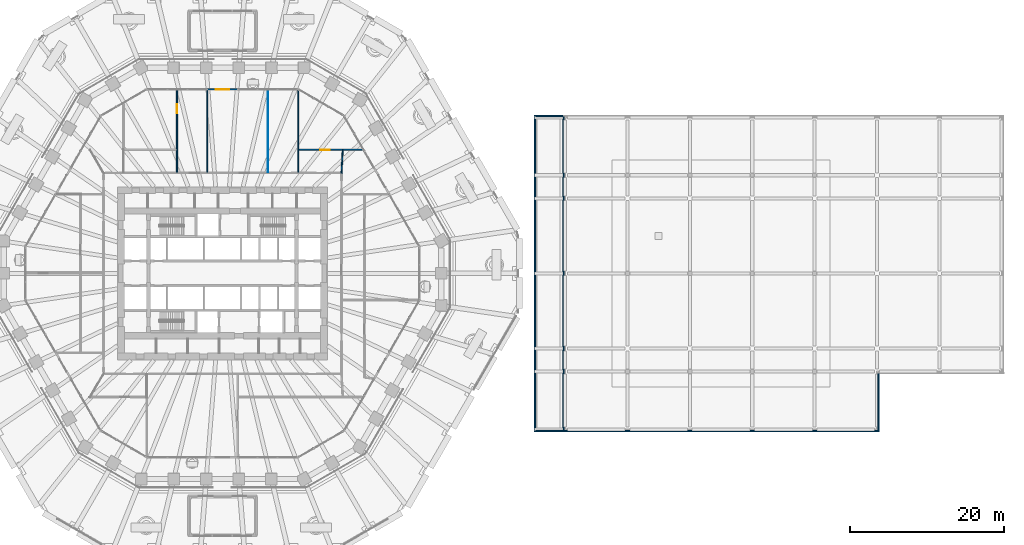
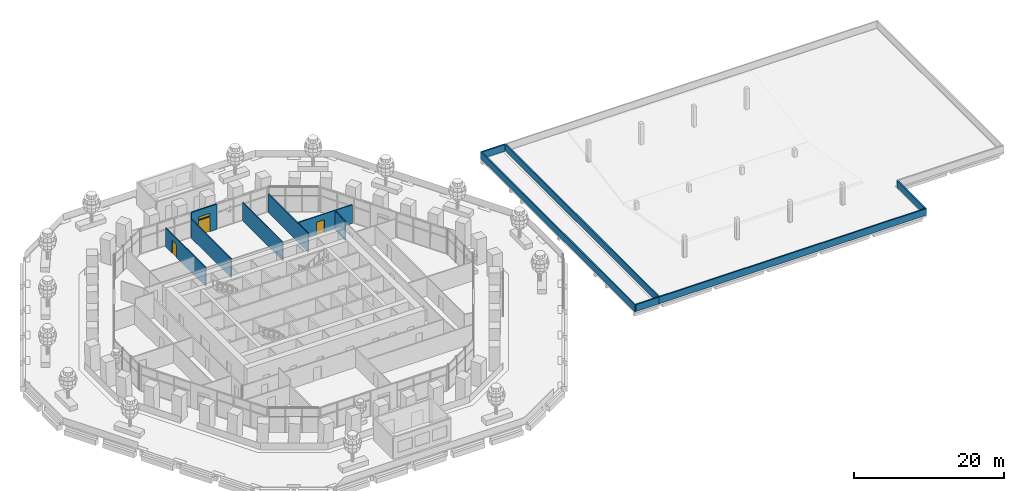
# One storey, part 26 of 32: 13 walls, 3 doors, 1 window, 4 openings.
"""IFC4 building model written with IfcOpenShell, lengths in metres."""

from ifc_helpers import new_model, si_unit, direction, frame, frame_2d, origin, place, context, subcontext, project, spatial, rectangle, extrude, material, layer, layer_set, type_object, element, fill, save


model = new_model("IFC4")

# Units and contexts
model_context = context("Model", 3, precision=1e-05, world=origin(), true_north=direction((0.0, 1.0)))
body_context = subcontext(model_context, "Body", "Model", "MODEL_VIEW")
ifc_project = project(units=[si_unit("LENGTHUNIT", "METRE"), si_unit("AREAUNIT", "SQUARE_METRE"), si_unit("VOLUMEUNIT", "CUBIC_METRE"), si_unit("PLANEANGLEUNIT", "RADIAN"), si_unit("MASSUNIT", "GRAM", prefix="KILO")], contexts=[model_context])

# Site, building, storey
site_placement = place(None, origin())
site = spatial("IfcSite", under=ifc_project, at=site_placement, CompositionType="ELEMENT")
building_placement = place(site_placement, origin())
building = spatial("IfcBuilding", under=site, at=building_placement, Name="Frailejon Research Tower", CompositionType="ELEMENT")
storey_placement = place(building_placement, frame((0.0, 0.0, 14.60009765625)))
storey = spatial("IfcBuildingStorey", under=building, at=storey_placement, Name="L03", CompositionType="ELEMENT", Elevation=14.60009765625)

# Walls
ifc_material_1 = material(Name="Concrete C35/45", Category="concrete")
ifc_layer_1 = layer(ifc_material_1, 0.199951171875)
ifc_layer_set_1 = layer_set([ifc_layer_1], Name="HC parapet 200")
wall_type_1 = type_object("IfcWallType", Name="HC parapet 200", PredefinedType="PARAPET", material=ifc_layer_set_1)
wall_1_placement = place(storey_placement, frame((44.199951171875, -20.449951171875, 0.0), z_axis=(0.0, 0.0, 1.0), x_axis=(1.0, 0.0, 0.0)))
element("IfcWall", 1, at=wall_1_placement, inside=storey, type_object=wall_type_1, Name="HC roof parapet", PredefinedType="PARAPET", context=body_context, shape_type="SweptSolid", body=[
    extrude(rectangle(XDim=41.10009765625, YDim=0.199951171875, at=frame_2d((20.550048828125, 0.0))), origin(), (0.0, 0.0, 1.0), 1.099853515625),
])
wall_2_placement = place(storey_placement, frame((44.300048828125, -20.35009765625, 0.0), z_axis=(0.0, 0.0, 1.0), x_axis=(0.0, 1.0, 0.0)))
element("IfcWall", 2, at=wall_2_placement, inside=storey, type_object=wall_type_1, Name="HC roof parapet", PredefinedType="PARAPET", context=body_context, shape_type="SweptSolid", body=[
    extrude(rectangle(XDim=40.7001953125, YDim=0.199951171875, at=frame_2d((20.35009765625, 0.0))), origin(), (0.0, 0.0, 1.0), 1.099853515625),
])
wall_3_placement = place(storey_placement, frame((85.199951171875, -20.35009765625, 0.0), z_axis=(0.0, 0.0, 1.0), x_axis=(0.0, 1.0, 0.0)))
element("IfcWall", 3, at=wall_3_placement, inside=storey, type_object=wall_type_1, Name="HC roof parapet", PredefinedType="PARAPET", context=body_context, shape_type="SweptSolid", body=[
    extrude(rectangle(XDim=7.300048828125, YDim=0.199951171875, at=frame_2d((3.64990234375, 0.0))), origin(), (0.0, 0.0, 1.0), 1.099853515625),
])
wall_4_placement = place(storey_placement, frame((40.60009765625, -20.550048828125, 0.0), z_axis=(0.0, 0.0, 1.0), x_axis=(0.0, 1.0, 0.0)))
element("IfcWall", 4, at=wall_4_placement, inside=storey, type_object=wall_type_1, Name="HC canopy upstand", PredefinedType="PARAPET", context=body_context, shape_type="SweptSolid", body=[
    extrude(rectangle(XDim=41.10009765625, YDim=0.199951171875, at=frame_2d((20.550048828125, 0.0))), origin(), (0.0, 0.0, 1.0), 1.099853515625),
])
for number, where, z_axis, x_axis, name in (
    (5, (40.699951171875, -20.449951171875, 0.0), (0.0, 0.0, 1.0), (1.0, 0.0, 0.0), "HC canopy upstand"),
    (6, (40.699951171875, 20.449951171875, 0.0), (0.0, 0.0, 1.0), (1.0, 0.0, 0.0), "HC canopy upstand"),
):
    element("IfcWall", number, at=place(storey_placement, frame(where, z_axis=z_axis, x_axis=x_axis)), inside=storey, type_object=wall_type_1, Name=name, PredefinedType="PARAPET", context=body_context, shape_type="SweptSolid", body=[
        extrude(rectangle(XDim=3.5, YDim=0.199951171875, at=frame_2d((1.75, 0.0))), origin(), (0.0, 0.0, 1.0), 1.099853515625),
    ])
ifc_material_2 = material(Name="Gypsum board and masonry partition", Category="masonry")
ifc_layer_2 = layer(ifc_material_2, 0.14990234375)
ifc_layer_set_2 = layer_set([ifc_layer_2], Name="Laboratory partition, blockwork 150")
wall_type_2 = type_object("IfcWallType", Name="Laboratory partition, blockwork 150", PredefinedType="PARTITIONING", material=ifc_layer_set_2)
wall_5_placement = place(storey_placement, frame((15.44580078125, 12.97509765625, 0.0), z_axis=(0.0, 0.0, 1.0), x_axis=(0.054281830831, 0.998525654574, 0.0)))
element("IfcWall", 7, at=wall_5_placement, inside=storey, type_object=wall_type_2, Name="T:IW:L03:009", PredefinedType="PARTITIONING", context=body_context, shape_type="SweptSolid", body=[
    extrude(rectangle(XDim=3.00439453125, YDim=0.14990234375, at=frame_2d((1.502197265625, 0.0))), origin(), (0.0, 0.0, 1.0), 3.0498046875),
])

# Wall, opening, door
wall_6_placement = place(storey_placement, frame((9.931396484375, 16.050048828125, 0.0), z_axis=(0.0, 0.0, 1.0), x_axis=(1.0, 0.0, 0.0)))
wall_6 = element("IfcWall", 8, at=wall_6_placement, inside=storey, type_object=wall_type_2, Name="T:IW:L03:011", PredefinedType="PARTITIONING", context=body_context, shape_type="SweptSolid", body=[
    extrude(rectangle(XDim=8.283935546875, YDim=0.14990234375, at=frame_2d((4.14208984375, 0.0))), origin(), (0.0, 0.0, 1.0), 3.0498046875),
])
opening_1_placement = place(wall_6_placement, frame((2.78173828125, 0.0, 0.0)))
opening_1 = element("IfcOpeningElement", 9, at=opening_1_placement, cuts=wall_6, Name="Opening D1223", PredefinedType="OPENING", context=body_context, shape_type="SweptSolid", body=[
    extrude(rectangle(XDim=1.199951171875, YDim=2.10009765625, at=frame_2d((0.60009765625, 1.050048828125))), frame((0.0, 0.0849609375, 0.0), z_axis=(0.0, -1.0, 0.0), x_axis=(1.0, 0.0, 0.0)), (0.0, 0.0, 1.0), 0.169921875),
])
ifc_material_3 = material(Name="Timber door leaf", Category="wood")
door_type_1 = type_object("IfcDoorType", Name="Door laboratory, timber, vision panel 1200", OperationType="NOTDEFINED", PredefinedType="DOOR", material=ifc_material_3)
door_1_placement = place(opening_1_placement, origin())
door_1 = element("IfcDoor", 10, at=door_1_placement, inside=storey, type_object=door_type_1, Name="D1223", OperationType="DOUBLE_DOOR_SINGLE_SWING", OverallHeight=2.10009765625, OverallWidth=1.199951171875, PredefinedType="DOOR", context=body_context, shape_type="SweptSolid", body=[
    extrude(rectangle(XDim=1.199951171875, YDim=2.10009765625, at=frame_2d((0.60009765625, 1.050048828125))), frame((0.0, 0.02490234375, 0.0), z_axis=(0.0, -1.0, 0.0), x_axis=(1.0, 0.0, 0.0)), (0.0, 0.0, 1.0), 0.050048828125),
])
fill(opening_1, door_1)

# Walls
wall_7_placement = place(storey_placement, frame((9.8564453125, 13.125, 0.0), z_axis=(0.0, 0.0, 1.0), x_axis=(0.0, 1.0, 0.0)))
element("IfcWall", 11, at=wall_7_placement, inside=storey, type_object=wall_type_2, Name="T:IW:L03:012", PredefinedType="PARTITIONING", context=body_context, shape_type="SweptSolid", body=[
    extrude(rectangle(XDim=10.64404296875, YDim=0.14990234375, at=frame_2d((5.322021484375, 0.0))), origin(), (0.0, 0.0, 1.0), 3.0498046875),
])
wall_8_placement = place(storey_placement, frame((-1.97119140625, 13.125, 0.0), z_axis=(0.0, 0.0, 1.0), x_axis=(0.0, 1.0, 0.0)))
element("IfcWall", 12, at=wall_8_placement, inside=storey, type_object=wall_type_2, Name="T:IW:L03:013", PredefinedType="PARTITIONING", context=body_context, shape_type="SweptSolid", body=[
    extrude(rectangle(XDim=10.675048828125, YDim=0.14990234375, at=frame_2d((5.33740234375, 0.0))), origin(), (0.0, 0.0, 1.0), 3.0498046875),
])

# Wall, opening, door
wall_9_placement = place(storey_placement, frame((-5.913818359375, 13.125, 0.0), z_axis=(0.0, 0.0, 1.0), x_axis=(0.0, 1.0, 0.0)))
wall_9 = element("IfcWall", 13, at=wall_9_placement, inside=storey, type_object=wall_type_2, Name="T:IW:L03:014", PredefinedType="PARTITIONING", context=body_context, shape_type="SweptSolid", body=[
    extrude(rectangle(XDim=10.675048828125, YDim=0.14990234375, at=frame_2d((5.33740234375, 0.0))), origin(), (0.0, 0.0, 1.0), 3.0498046875),
])
opening_2_placement = place(wall_9_placement, frame((7.66259765625, 0.0, 0.0)))
opening_2 = element("IfcOpeningElement", 14, at=opening_2_placement, cuts=wall_9, Name="Opening D1227", PredefinedType="OPENING", context=body_context, shape_type="SweptSolid", body=[
    extrude(rectangle(XDim=1.199951171875, YDim=2.10009765625, at=frame_2d((0.60009765625, 1.050048828125))), frame((0.0, 0.0849609375, 0.0), z_axis=(0.0, -1.0, 0.0), x_axis=(1.0, 0.0, 0.0)), (0.0, 0.0, 1.0), 0.169921875),
])
door_2_placement = place(opening_2_placement, origin())
door_2 = element("IfcDoor", 15, at=door_2_placement, inside=storey, type_object=door_type_1, Name="D1227", OperationType="DOUBLE_DOOR_SINGLE_SWING", OverallHeight=2.10009765625, OverallWidth=1.199951171875, PredefinedType="DOOR", context=body_context, shape_type="SweptSolid", body=[
    extrude(rectangle(XDim=1.199951171875, YDim=2.10009765625, at=frame_2d((0.60009765625, 1.050048828125))), frame((0.0, 0.02490234375, 0.0), z_axis=(0.0, -1.0, 0.0), x_axis=(1.0, 0.0, 0.0)), (0.0, 0.0, 1.0), 0.050048828125),
])
fill(opening_2, door_2)

# Wall
ifc_material_4 = material(Name="Gypsum board and masonry partition", Category="masonry")
ifc_layer_3 = layer(ifc_material_4, 0.10009765625)
ifc_layer_set_3 = layer_set([ifc_layer_3], Name="Partition, gypsum on steel studs 100")
wall_type_3 = type_object("IfcWallType", Name="Partition, gypsum on steel studs 100", PredefinedType="PARTITIONING", material=ifc_layer_set_3)
wall_10_placement = place(storey_placement, frame((5.913818359375, 13.125, 0.0), z_axis=(0.0, 0.0, 1.0), x_axis=(0.0, 1.0, 0.0)))
element("IfcWall", 16, at=wall_10_placement, inside=storey, type_object=wall_type_3, Name="T:IW:L03:025", PredefinedType="PARTITIONING", context=body_context, shape_type="SweptSolid", body=[
    extrude(rectangle(XDim=10.675048828125, YDim=0.10009765625, at=frame_2d((5.33740234375, 0.0))), origin(), (0.0, 0.0, 1.0), 3.0498046875),
])

# Wall, openings, door, window
ifc_material_5 = material(Name="Concrete C40/50 precast window wall panel", Category="concrete")
ifc_layer_4 = layer(ifc_material_5, 0.199951171875)
ifc_layer_set_4 = layer_set([ifc_layer_4], Name="Window wall 200")
wall_type_4 = type_object("IfcWallType", Name="Window wall 200", PredefinedType="SOLIDWALL", material=ifc_layer_set_4)
wall_11_placement = place(storey_placement, frame((1.9658203125, 23.89990234375, 0.0), z_axis=(0.0, 0.0, 1.0), x_axis=(-1.0, 0.0, 0.0)))
wall_11 = element("IfcWall", 17, at=wall_11_placement, inside=storey, type_object=wall_type_4, Name="Door pier L03", PredefinedType="SOLIDWALL", context=body_context, shape_type="SweptSolid", body=[
    extrude(rectangle(XDim=3.931640625, YDim=0.199951171875, at=frame_2d((1.9658203125, 0.0))), origin(), (0.0, 0.0, 1.0), 4.099853515625),
])
opening_3_placement = place(wall_11_placement, frame((1.06591796875, 0.0, 0.0)))
opening_3 = element("IfcOpeningElement", 18, at=opening_3_placement, cuts=wall_11, Name="Opening LG03-2", PredefinedType="OPENING", context=body_context, shape_type="SweptSolid", body=[
    extrude(rectangle(XDim=1.800048828125, YDim=2.39990234375, at=frame_2d((0.89990234375, 1.199951171875))), frame((0.0, 0.10986328125, 0.0), z_axis=(0.0, -1.0, 0.0), x_axis=(1.0, 0.0, 0.0)), (0.0, 0.0, 1.0), 0.219970703125),
])
opening_4_placement = place(wall_11_placement, frame((1.06591796875, 0.0, 2.550048828125)))
opening_4 = element("IfcOpeningElement", 19, at=opening_4_placement, cuts=wall_11, Name="Opening W1", PredefinedType="OPENING", context=body_context, shape_type="SweptSolid", body=[
    extrude(rectangle(XDim=1.800048828125, YDim=0.449951171875, at=frame_2d((0.89990234375, 0.22509765625))), frame((0.0, 0.10986328125, 0.0), z_axis=(0.0, -1.0, 0.0), x_axis=(1.0, 0.0, 0.0)), (0.0, 0.0, 1.0), 0.219970703125),
])
ifc_material_6 = material(Name="Aluminium framed glazed door leaf", Category="aluminium")
door_type_2 = type_object("IfcDoorType", Name="Loggia door 1800x2400", OperationType="DOUBLE_DOOR_SINGLE_SWING", PredefinedType="DOOR", material=ifc_material_6)
door_3_placement = place(opening_3_placement, origin())
door_3 = element("IfcDoor", 20, at=door_3_placement, inside=storey, type_object=door_type_2, Name="Door LG03-2", OperationType="DOUBLE_DOOR_SINGLE_SWING", OverallHeight=2.39990234375, OverallWidth=1.800048828125, PredefinedType="DOOR", context=body_context, shape_type="SweptSolid", body=[
    extrude(rectangle(XDim=1.800048828125, YDim=2.39990234375, at=frame_2d((0.89990234375, 1.199951171875))), frame((0.0, 0.02490234375, 0.0), z_axis=(0.0, -1.0, 0.0), x_axis=(1.0, 0.0, 0.0)), (0.0, 0.0, 1.0), 0.050048828125),
])
fill(opening_3, door_3)
ifc_material_7 = material(Name="Aluminium framed double glazing", Category="aluminium")
window_type = type_object("IfcWindowType", Name="Window 1800x450", PartitioningType="SINGLE_PANEL", PredefinedType="WINDOW", material=ifc_material_7)
window_placement = place(opening_4_placement, origin())
window = element("IfcWindow", 21, at=window_placement, inside=storey, type_object=window_type, Name="Window L03", OverallHeight=0.449951171875, OverallWidth=1.800048828125, PartitioningType="SINGLE_PANEL", PredefinedType="WINDOW", context=body_context, shape_type="SweptSolid", body=[
    extrude(rectangle(XDim=1.800048828125, YDim=0.449951171875, at=frame_2d((0.89990234375, 0.22509765625))), frame((0.0, 0.030029296875, 0.0), z_axis=(0.0, -1.0, 0.0), x_axis=(1.0, 0.0, 0.0)), (0.0, 0.0, 1.0), 0.06005859375),
])
fill(opening_4, window)

save(model, "model.ifc")
